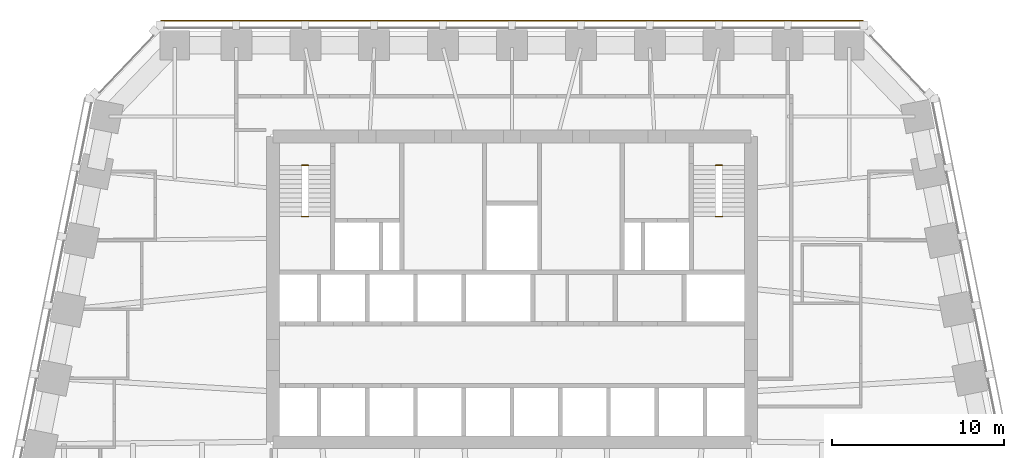
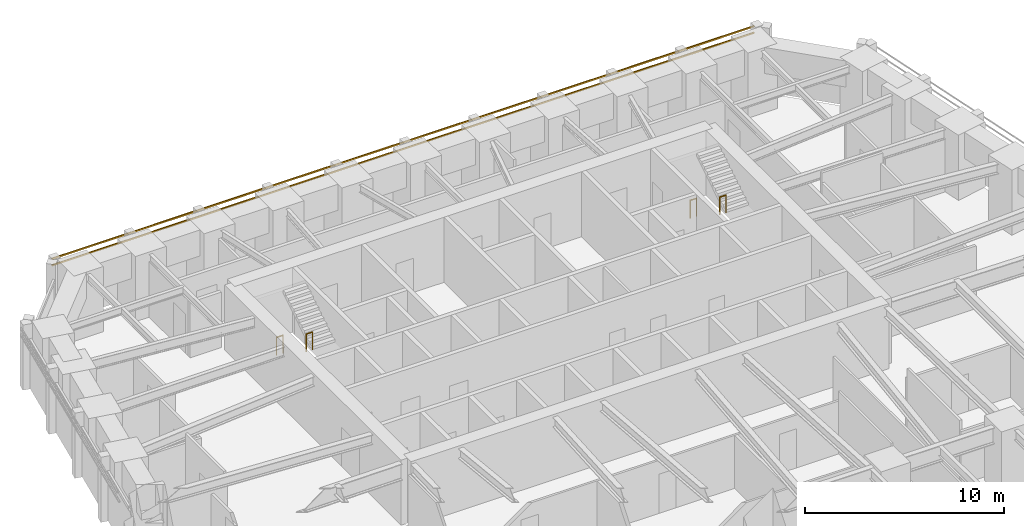
# One storey, part 10 of 10: 4 railings, 2 shading devices.
"""IFC4 building model written with IfcOpenShell, lengths in metres."""

import ifcopenshell
import ifcopenshell.guid

model = None  # the IFC model being written
_history = None  # IfcOwnerHistory: only IFC2X3 demands one
_inside = {}  # id of a spatial element -> (the spatial element, [elements in it])
_under = {}  # id of a project, library or spatial element -> (it, [spatial elements below it])
_declared = {}  # id of a project -> (the project, [libraries it declares])
_typed = {}  # id of a type object -> (the type object, [elements of that type])
_made_of = {}  # id of a material, layer set ... -> (it, [elements and type objects made of it])


def new_model(schema):
    """Start an empty IFC model of exactly this schema.

    Asked for "IFC4X3", IfcOpenShell would pick the latest addendum, in which some entities
    have other attributes; the version numbers below select the first issue.
    IFC2X3 requires an IfcOwnerHistory on every rooted entity: one is made here for all.
    """
    global model, _history
    if schema == "IFC4X3":
        model = ifcopenshell.file(schema_version=(4, 3, 0, 0))
    else:
        model = ifcopenshell.file(schema=schema)
    _inside.clear()
    _under.clear()
    _declared.clear()
    _typed.clear()
    _made_of.clear()
    _history = None
    if model.schema == "IFC2X3":
        org = make("IfcOrganization", Name="unknown")
        user = make(
            "IfcPersonAndOrganization",
            ThePerson=make("IfcPerson", FamilyName="unknown"),
            TheOrganization=org,
        )
        app = make(
            "IfcApplication",
            ApplicationDeveloper=org,
            Version="unknown",
            ApplicationFullName="unknown",
            ApplicationIdentifier="unknown",
        )
        _history = make(
            "IfcOwnerHistory",
            OwningUser=user,
            OwningApplication=app,
            ChangeAction="ADDED",
            CreationDate=0,
        )
    return model


def make(cls, **values):
    """One entity of the class cls with the attributes given. An attribute that is None is left unset."""
    return model.create_entity(
        cls, **{name: value for name, value in values.items() if value is not None}
    )


def rooted(cls, **values):
    """An entity with a GlobalId (a new one), such as an element, a storey or a relation."""
    return make(cls, GlobalId=ifcopenshell.guid.new(), OwnerHistory=_history, **values)


def si_unit(unit_type, name, prefix=None):
    """IfcSIUnit, for example si_unit("LENGTHUNIT", "METRE", prefix="MILLI")."""
    return make("IfcSIUnit", UnitType=unit_type, Prefix=prefix, Name=name)


def assignment(units):
    """IfcUnitAssignment: the units of a project."""
    return None if units is None else make("IfcUnitAssignment", Units=units)


def point(xyz):
    """IfcCartesianPoint."""
    return None if xyz is None else make("IfcCartesianPoint", Coordinates=xyz)


def direction(xyz):
    """IfcDirection."""
    return None if xyz is None else make("IfcDirection", DirectionRatios=xyz)


def frame(location, z_axis=None, x_axis=None):
    """IfcAxis2Placement3D, a coordinate frame: its origin and axes. An axis left out is left unset."""
    return make(
        "IfcAxis2Placement3D",
        Location=point(location),
        Axis=direction(z_axis),
        RefDirection=direction(x_axis),
    )


def frame_2d(location, x_axis=None):
    """IfcAxis2Placement2D, a coordinate frame in the plane: its origin and x axis."""
    return make(
        "IfcAxis2Placement2D", Location=point(location), RefDirection=direction(x_axis)
    )


def origin():
    """The frame at (0, 0, 0) with its axes left unset."""
    return frame((0.0, 0.0, 0.0))


def origin_2d():
    """The frame at (0, 0) in the plane with its x axis left unset."""
    return frame_2d((0.0, 0.0))


def place(relative_to, where):
    """IfcLocalPlacement: puts the frame where relative to a parent placement (None: the world)."""
    return make(
        "IfcLocalPlacement", PlacementRelTo=relative_to, RelativePlacement=where
    )


def context(
    kind, dimensions, precision=None, world=None, true_north=None, identifier=None
):
    """IfcGeometricRepresentationContext, for example the 3D "Model" context."""
    return make(
        "IfcGeometricRepresentationContext",
        ContextIdentifier=identifier,
        ContextType=kind,
        CoordinateSpaceDimension=dimensions,
        Precision=precision,
        WorldCoordinateSystem=world,
        TrueNorth=true_north,
    )


def subcontext(parent, identifier, kind, view, scale=None):
    """IfcGeometricRepresentationSubContext, for example "Body" below "Model"."""
    return make(
        "IfcGeometricRepresentationSubContext",
        ContextIdentifier=identifier,
        ContextType=kind,
        ParentContext=parent,
        TargetScale=scale,
        TargetView=view,
    )


def project(units=None, contexts=None):
    """IfcProject with its units and contexts."""
    return rooted(
        "IfcProject",
        Name="project",
        RepresentationContexts=contexts,
        UnitsInContext=assignment(units),
    )


def spatial(cls, under=None, at=None, **own):
    """A site, building, storey or space (cls), placed at a placement, below another one or the project."""
    s = rooted(cls, ObjectPlacement=at, **own)
    if under is not None:
        _under.setdefault(under.id(), (under, []))[1].append(s)
    return s


def profile(cls, at=None, kind="AREA", **sizes):
    """A parametric profile (cls). Its sizes go by their IFC names, for example OverallWidth=200.0."""
    return make(cls, ProfileType=kind, Position=at, **sizes)


def rectangle(**sizes):
    """IfcRectangleProfileDef."""
    return profile("IfcRectangleProfileDef", **sizes)


def circle(**sizes):
    """IfcCircleProfileDef."""
    return profile("IfcCircleProfileDef", **sizes)


def extrude(swept, where, along, depth):
    """IfcExtrudedAreaSolid: the profile swept, set in the frame where, extruded along a direction by depth."""
    return make(
        "IfcExtrudedAreaSolid",
        SweptArea=swept,
        Position=where,
        ExtrudedDirection=direction(along),
        Depth=depth,
    )


def shape(context_of_items, identifier, shape_type, items):
    """IfcShapeRepresentation: the items that make up one representation, for example the "Body"."""
    return make(
        "IfcShapeRepresentation",
        ContextOfItems=context_of_items,
        RepresentationIdentifier=identifier,
        RepresentationType=shape_type,
        Items=items,
    )


def material(Name=None, Category=None):
    """IfcMaterial."""
    return make("IfcMaterial", Name=Name, Category=Category)


def material_profile(
    of_material, cross_section, Name=None, Category=None, Priority=None
):
    """IfcMaterialProfile: a cross section and its material."""
    return make(
        "IfcMaterialProfile",
        Name=Name,
        Material=of_material,
        Profile=cross_section,
        Priority=Priority,
        Category=Category,
    )


def profile_set(profiles, Name=None, composite=None):
    """IfcMaterialProfileSet."""
    return make(
        "IfcMaterialProfileSet",
        Name=Name,
        MaterialProfiles=profiles,
        CompositeProfile=composite,
    )


def made_of(thing, what):
    """Note that an element or type object is made of a material, layer set ...; save() writes the relation."""
    if what is not None:
        _made_of.setdefault(what.id(), (what, []))[1].append(thing)
    return thing


def type_object(cls, material=None, **own):
    """A type object (cls), such as IfcWallType, which elements share."""
    return made_of(rooted(cls, **own), material)


def element(
    cls,
    number,
    at=None,
    inside=None,
    cuts=None,
    type_object=None,
    material=None,
    context=None,
    identifier="Body",
    shape_type=None,
    held_by="IfcProductDefinitionShape",
    body=None,
    shapes=None,
    **own,
):
    """One element of the class cls, such as IfcWall. Its Tag is "e" and its number.

    at: its placement. inside: the storey or other place that contains it. cuts: it is an
    opening in that element (IfcRelVoidsElement). A single representation is given by context,
    identifier, shape_type and body (its items); several are given by shapes. held_by: the class
    of the entity that holds the representations. save() writes the other relations.
    """
    e = rooted(cls, Tag="e%d" % number, ObjectPlacement=at, **own)
    if body is not None:
        shapes = [shape(context, identifier, shape_type, body)]
    if shapes is not None:
        e.Representation = make(held_by, Representations=shapes)
    if inside is not None:
        _inside.setdefault(inside.id(), (inside, []))[1].append(e)
    if cuts is not None:
        rooted(
            "IfcRelVoidsElement", RelatingBuildingElement=cuts, RelatedOpeningElement=e
        )
    if type_object is not None:
        _typed.setdefault(type_object.id(), (type_object, []))[1].append(e)
    return made_of(e, material)


def aggregate(whole, parts):
    """IfcRelAggregates: a whole, such as a stair, and the parts it consists of."""
    return rooted("IfcRelAggregates", RelatingObject=whole, RelatedObjects=parts)


def save(model, path):
    """Write the relations noted so far, then the file.

    IfcRelAggregates (storeys below a building ...), IfcRelContainedInSpatialStructure (elements
    in a storey), IfcRelDefinesByType, IfcRelAssociatesMaterial and IfcRelDeclares: one each for
    every whole, place, type object, material and project.
    """
    for whole, parts in _under.values():
        aggregate(whole, parts)
    for where, things in _inside.values():
        rooted(
            "IfcRelContainedInSpatialStructure",
            RelatedElements=things,
            RelatingStructure=where,
        )
    for kind, things in _typed.values():
        rooted("IfcRelDefinesByType", RelatedObjects=things, RelatingType=kind)
    for what, things in _made_of.values():
        rooted("IfcRelAssociatesMaterial", RelatedObjects=things, RelatingMaterial=what)
    for by, libraries in _declared.values():
        rooted("IfcRelDeclares", RelatingContext=by, RelatedDefinitions=libraries)
    model.write(path)


model = new_model("IFC4")

# Units and contexts
model_context = context("Model", 3, precision=1e-05, world=origin(), true_north=direction((0.0, 1.0)))
body_context = subcontext(model_context, "Body", "Model", "MODEL_VIEW")
ifc_project = project(units=[si_unit("LENGTHUNIT", "METRE"), si_unit("AREAUNIT", "SQUARE_METRE"), si_unit("VOLUMEUNIT", "CUBIC_METRE"), si_unit("PLANEANGLEUNIT", "RADIAN"), si_unit("MASSUNIT", "GRAM", prefix="KILO")], contexts=[model_context])

# Site, building, storey
site_placement = place(None, origin())
site = spatial("IfcSite", under=ifc_project, at=site_placement, CompositionType="ELEMENT")
building_placement = place(site_placement, origin())
building = spatial("IfcBuilding", under=site, at=building_placement, Name="Isbrekke Arena Tower", CompositionType="ELEMENT")
storey_placement = place(building_placement, frame((0.0, 0.0, 159.0)))
storey = spatial("IfcBuildingStorey", under=building, at=storey_placement, Name="L36", CompositionType="ELEMENT", Elevation=159.0)

# Shading devices
ifc_material_1 = material(Name="Terracotta", Category="masonry")
ifc_material_profile = material_profile(ifc_material_1, rectangle(XDim=0.06005859375, YDim=0.06005859375, at=origin_2d()), Name="BAGUETTE 60X60")
ifc_profile_set = profile_set([ifc_material_profile], Name="Terracotta")
shading_device_type = type_object("IfcShadingDeviceType", Name="BG1 TERRACOTTA BAGUETTE 60 x 60", PredefinedType="USERDEFINED", material=ifc_profile_set)
for number, where, z_axis, x_axis, name in (
    (1, (20.39990234375, 30.60498046875, 3.280029296875), (-1.0, 0.0, 0.0), (0.0, -1.0, 0.0), "BG1 terracotta baguette N1 L36"),
    (2, (20.39990234375, 30.60498046875, 3.679931640625), (-1.0, 0.0, 0.0), (0.0, -1.0, 0.0), "BG1 terracotta baguette N2 L36"),
):
    element("IfcShadingDevice", number, at=place(storey_placement, frame(where, z_axis=z_axis, x_axis=x_axis)), inside=storey, type_object=shading_device_type, Name=name, ObjectType="TERRACOTTA BAGUETTE", PredefinedType="USERDEFINED", context=body_context, shape_type="SweptSolid", body=[
        extrude(rectangle(XDim=0.06005859375, YDim=0.06005859375, at=origin_2d()), origin(), (0.0, 0.0, 1.0), 40.7998046875),
    ])

# Railings
ifc_material_2 = material(Name="Steel stair guard, vertical bars, steel handrail", Category="steel")
railing_type = type_object("IfcRailingType", Name="GR3 STAIR WELL GUARD 1100", PredefinedType="GUARDRAIL", material=ifc_material_2)
for number, where, name in (
    (3, (-12.199951171875, 22.199951171875, 0.0), "GR3 stair well guard ST1 L36"),
    (4, (-12.199951171875, 19.22998046875, 2.0), "GR3 stair well guard ST1 L36"),
    (5, (11.824951171875, 22.199951171875, 0.0), "GR3 stair well guard ST2 L36"),
    (6, (11.824951171875, 19.22998046875, 2.0), "GR3 stair well guard ST2 L36"),
):
    element("IfcRailing", number, at=place(storey_placement, frame(where)), inside=storey, type_object=railing_type, Name=name, PredefinedType="GUARDRAIL", context=body_context, shape_type="SweptSolid", body=[
        extrude(circle(Radius=0.02392578125, at=origin_2d()), frame((0.0, 0.0, 1.076171875), z_axis=(1.0, 0.0, 0.0), x_axis=(0.0, 1.0, 0.0)), (0.0, 0.0, 1.0), 0.375),
        extrude(circle(Radius=0.02099609375, at=origin_2d()), origin(), (0.0, 0.0, 1.0), 1.052001953125),
        extrude(circle(Radius=0.02099609375, at=origin_2d()), frame((0.375, 0.0, 0.0)), (0.0, 0.0, 1.0), 1.052001953125),
    ])

save(model, "model.ifc")
